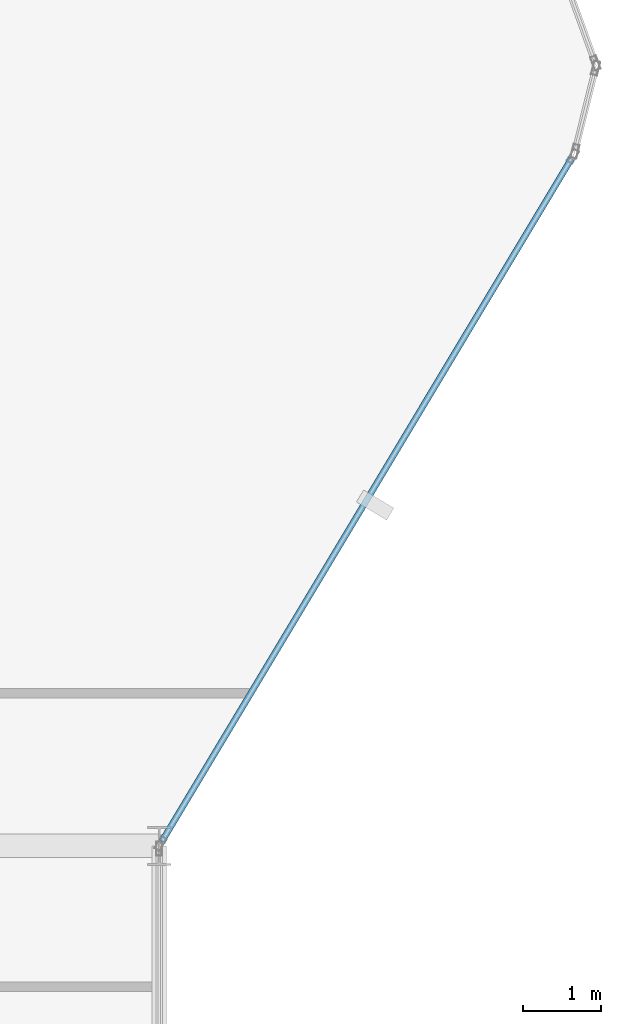
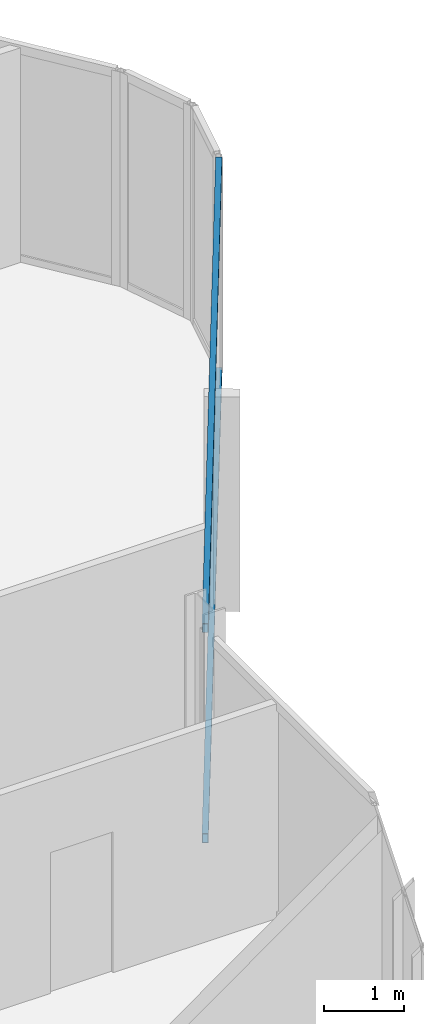
# One storey, part 14 of 31: 2 members, 1 element without a shape of its own.
"""IFC4 building model written with IfcOpenShell, lengths in metres."""

from ifc_helpers import new_model, si_unit, direction, frame, origin, origin_2d, place, context, subcontext, project, spatial, hollow_rectangle, extrude, material, layer, layer_set, material_profile, profile_set, type_object, element, aggregate, save


model = new_model("IFC4")

# Units and contexts
model_context = context("Model", 3, precision=1e-05, world=origin(), true_north=direction((0.0, 1.0)))
body_context = subcontext(model_context, "Body", "Model", "MODEL_VIEW")
ifc_project = project(units=[si_unit("LENGTHUNIT", "METRE"), si_unit("AREAUNIT", "SQUARE_METRE"), si_unit("VOLUMEUNIT", "CUBIC_METRE"), si_unit("PLANEANGLEUNIT", "RADIAN"), si_unit("MASSUNIT", "GRAM", prefix="KILO")], contexts=[model_context])

# Site, building, storey
site_placement = place(None, origin())
site = spatial("IfcSite", under=ifc_project, at=site_placement, CompositionType="ELEMENT")
building_placement = place(site_placement, origin())
building = spatial("IfcBuilding", under=site, at=building_placement, Name="Keshet Zoharim Tower", CompositionType="ELEMENT")
storey_placement = place(building_placement, frame((0.0, 0.0, 155.699951171875)))
storey = spatial("IfcBuildingStorey", under=building, at=storey_placement, Name="L38", CompositionType="ELEMENT", Elevation=155.699951171875)

# Curtain wall, members
ifc_material = material(Name="Aluminium 6063-T6", Category="aluminium")
ifc_layer = layer(ifc_material, 0.159912109375)
ifc_layer_set = layer_set([ifc_layer], Name="Aluminium 6063-T6")
curtain_wall_type = type_object("IfcCurtainWallType", Name="CW-SYS-03", PredefinedType="NOTDEFINED", material=ifc_layer_set)
curtain_wall_placement = place(storey_placement, origin())
curtain_wall = element("IfcCurtainWall", 1, at=curtain_wall_placement, inside=storey, type_object=curtain_wall_type, Name="L38 Unitised Curtain Wall 18", PredefinedType="NOTDEFINED")
ifc_material_profile = material_profile(ifc_material, hollow_rectangle(XDim=0.080078125, YDim=0.139892578125, WallThickness=0.00390625, at=origin_2d()), Name="TRN-80x140")
ifc_profile_set = profile_set([ifc_material_profile], Name="Aluminium 6063-T6")
member_type = type_object("IfcMemberType", Name="CWT-T14", PredefinedType="USERDEFINED", material=ifc_profile_set)
member_1_placement = place(storey_placement, frame((62.27197265625, 36.68701171875, 0.03515625), z_axis=(-0.514467532827, -0.857509858641, 0.0), x_axis=(0.857509858641, -0.514467532827, 0.0)))
member_1 = element("IfcMember", 2, at=member_1_placement, type_object=member_type, Name="CW-03 transom 1.1", ObjectType="TRANSOM", PredefinedType="USERDEFINED", context=body_context, shape_type="SweptSolid", body=[
    extrude(hollow_rectangle(XDim=0.080078125, YDim=0.139892578125, WallThickness=0.00390625, at=origin_2d()), origin(), (0.0, 0.0, 1.0), 10.17724609375),
])
member_2_placement = place(storey_placement, frame((62.27197265625, 36.68701171875, 3.2451171875), z_axis=(-0.514467532827, -0.857509858641, 0.0), x_axis=(0.857509858641, -0.514467532827, 0.0)))
member_2 = element("IfcMember", 3, at=member_2_placement, type_object=member_type, Name="CW-03 transom 1.2", ObjectType="TRANSOM", PredefinedType="USERDEFINED", context=body_context, shape_type="SweptSolid", body=[
    extrude(hollow_rectangle(XDim=0.080078125, YDim=0.139892578125, WallThickness=0.00390625, at=origin_2d()), origin(), (0.0, 0.0, 1.0), 10.17724609375),
])
aggregate(curtain_wall, [member_1, member_2])

save(model, "model.ifc")
